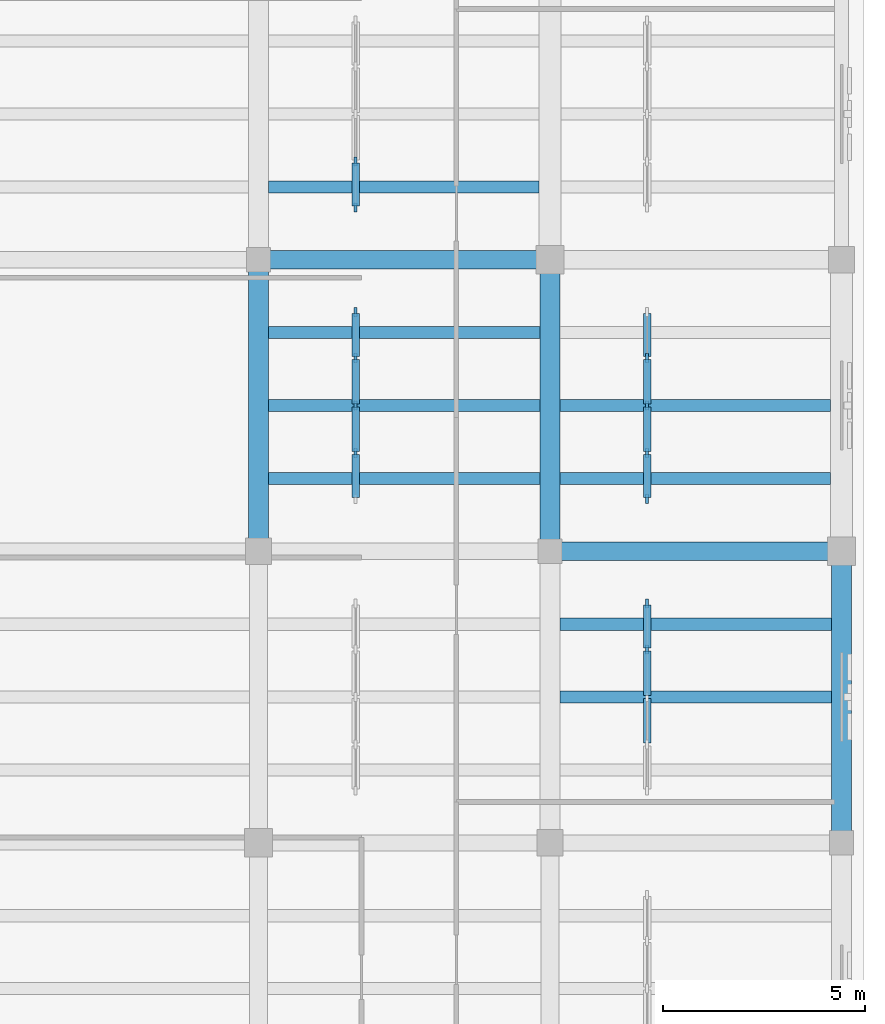
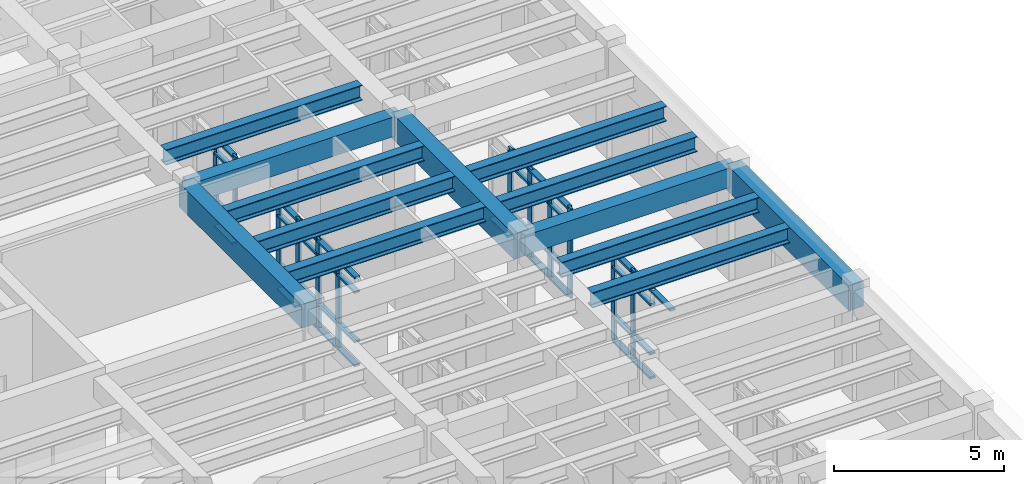
# One storey, part 10 of 40: 54 members, 13 beams, 4 elements without a shape of their own.
"""IFC4 building model written with IfcOpenShell, lengths in metres."""

from ifc_helpers import new_model, si_unit, direction, frame, origin, origin_2d, place, context, subcontext, project, spatial, rectangle, i_section, extrude, material, material_profile, profile_set, type_object, element, aggregate, save


model = new_model("IFC4")

# Units and contexts
model_context = context("Model", 3, precision=1e-05, world=origin(), true_north=direction((0.0, 1.0)))
body_context = subcontext(model_context, "Body", "Model", "MODEL_VIEW")
ifc_project = project(units=[si_unit("LENGTHUNIT", "METRE"), si_unit("AREAUNIT", "SQUARE_METRE"), si_unit("VOLUMEUNIT", "CUBIC_METRE"), si_unit("PLANEANGLEUNIT", "RADIAN"), si_unit("MASSUNIT", "GRAM", prefix="KILO")], contexts=[model_context])

# Site, building, storey
site_placement = place(None, origin())
site = spatial("IfcSite", under=ifc_project, at=site_placement, CompositionType="ELEMENT")
building_placement = place(site_placement, origin())
building = spatial("IfcBuilding", under=site, at=building_placement, Name="Mithqara Police Headquarters", CompositionType="ELEMENT")
storey_placement = place(building_placement, frame((0.0, 0.0, 13.800048828125)))
storey = spatial("IfcBuildingStorey", under=building, at=storey_placement, Name="L03", CompositionType="ELEMENT", Elevation=13.800048828125)

# Beams
ifc_material_1 = material(Name="Steel S355JR", Category="steel")
ifc_material_profile_1 = material_profile(ifc_material_1, i_section(OverallWidth=0.300048828125, OverallDepth=0.550048828125, WebThickness=0.014892578125, FlangeThickness=0.029052734375, FilletRadius=0.027099609375, at=origin_2d()), Name="HEB 550")
ifc_profile_set_1 = profile_set([ifc_material_profile_1], Name="Steel S355JR")
beam_type_1 = type_object("IfcBeamType", Name="BEAM HEB550", PredefinedType="BEAM", material=ifc_profile_set_1)
for number, where, z_axis, x_axis, name in (
    (1, (152.050048828125, 94.800048828125, 3.6650390625), (1.0, 0.0, 0.0), (0.0, 1.0, 0.0), "L03 Composite Steel Joist 22-23/P.1"),
    (2, (152.050048828125, 96.60009765625, 3.6650390625), (1.0, 0.0, 0.0), (0.0, 1.0, 0.0), "L03 Composite Steel Joist 22-23/P.2"),
    (3, (152.050048828125, 98.39990234375, 3.6650390625), (1.0, 0.0, 0.0), (0.0, 1.0, 0.0), "L03 Composite Steel Joist 22-23/P.3"),
):
    element("IfcBeam", number, at=place(storey_placement, frame(where, z_axis=z_axis, x_axis=x_axis)), inside=storey, type_object=beam_type_1, Name=name, PredefinedType="BEAM", context=body_context, shape_type="SweptSolid", body=[
        extrude(i_section(OverallWidth=0.300048828125, OverallDepth=0.550048828125, WebThickness=0.014892578125, FlangeThickness=0.029052734375, FilletRadius=0.027099609375, at=origin_2d()), origin(), (0.0, 0.0, 1.0), 6.699951171875),
    ])
beam_1_placement = place(storey_placement, frame((152.050048828125, 102.0, 3.6650390625), z_axis=(1.0, 0.0, 0.0), x_axis=(0.0, 1.0, 0.0)))
element("IfcBeam", 4, at=beam_1_placement, inside=storey, type_object=beam_type_1, Name="L03 Composite Steel Joist 22-23/Q.1", PredefinedType="BEAM", context=body_context, shape_type="SweptSolid", body=[
    extrude(i_section(OverallWidth=0.300048828125, OverallDepth=0.550048828125, WebThickness=0.014892578125, FlangeThickness=0.029052734375, FilletRadius=0.027099609375, at=origin_2d()), origin(), (0.0, 0.0, 1.0), 6.675048828125),
])
for number, where, z_axis, x_axis, name in (
    (5, (159.25, 89.39990234375, 3.6650390625), (1.0, 0.0, 0.0), (0.0, 1.0, 0.0), "L03 Composite Steel Joist 23-24/N.2"),
    (6, (159.25, 91.199951171875, 3.6650390625), (1.0, 0.0, 0.0), (0.0, 1.0, 0.0), "L03 Composite Steel Joist 23-24/N.3"),
):
    element("IfcBeam", number, at=place(storey_placement, frame(where, z_axis=z_axis, x_axis=x_axis)), inside=storey, type_object=beam_type_1, Name=name, PredefinedType="BEAM", context=body_context, shape_type="SweptSolid", body=[
        extrude(i_section(OverallWidth=0.300048828125, OverallDepth=0.550048828125, WebThickness=0.014892578125, FlangeThickness=0.029052734375, FilletRadius=0.027099609375, at=origin_2d()), origin(), (0.0, 0.0, 1.0), 6.699951171875),
    ])
for number, where, z_axis, x_axis, name in (
    (7, (159.25, 94.800048828125, 3.6650390625), (1.0, 0.0, 0.0), (0.0, 1.0, 0.0), "L03 Composite Steel Joist 23-24/P.1"),
    (8, (159.25, 96.60009765625, 3.6650390625), (1.0, 0.0, 0.0), (0.0, 1.0, 0.0), "L03 Composite Steel Joist 23-24/P.2"),
):
    element("IfcBeam", number, at=place(storey_placement, frame(where, z_axis=z_axis, x_axis=x_axis)), inside=storey, type_object=beam_type_1, Name=name, PredefinedType="BEAM", context=body_context, shape_type="SweptSolid", body=[
        extrude(i_section(OverallWidth=0.300048828125, OverallDepth=0.550048828125, WebThickness=0.014892578125, FlangeThickness=0.029052734375, FilletRadius=0.027099609375, at=origin_2d()), origin(), (0.0, 0.0, 1.0), 6.675048828125),
    ])
ifc_material_2 = material(Name="Concrete C40/50", Category="concrete")
ifc_material_profile_2 = material_profile(ifc_material_2, rectangle(XDim=0.449951171875, YDim=0.699951171875, at=origin_2d()), Name="RC 450x700")
ifc_profile_set_2 = profile_set([ifc_material_profile_2], Name="Concrete C40/50")
beam_type_2 = type_object("IfcBeamType", Name="BEAM RC450X700", PredefinedType="BEAM", material=ifc_profile_set_2)
for number, where, z_axis, x_axis, name in (
    (9, (151.800048828125, 100.199951171875, 3.58984375), (1.0, 0.0, 0.0), (0.0, 1.0, 0.0), "L03 Girder 22-23/Q"),
    (10, (159.0, 93.0, 3.58984375), (1.0, 0.0, 0.0), (0.0, 1.0, 0.0), "L03 Girder 23-24/P"),
):
    element("IfcBeam", number, at=place(storey_placement, frame(where, z_axis=z_axis, x_axis=x_axis)), inside=storey, type_object=beam_type_2, Name=name, PredefinedType="BEAM", context=body_context, shape_type="SweptSolid", body=[
        extrude(rectangle(XDim=0.449951171875, YDim=0.699951171875, at=origin_2d()), origin(), (0.0, 0.0, 1.0), 7.199951171875),
    ])
ifc_material_profile_3 = material_profile(ifc_material_2, rectangle(XDim=0.5, YDim=0.85009765625, at=origin_2d()), Name="RC 500x850")
ifc_profile_set_3 = profile_set([ifc_material_profile_3], Name="Concrete C40/50")
beam_type_3 = type_object("IfcBeamType", Name="BEAM RC500X850", PredefinedType="BEAM", material=ifc_profile_set_3)
beam_2_placement = place(storey_placement, frame((151.800048828125, 93.0, 3.514892578125), z_axis=(0.0, 1.0, 0.0), x_axis=(-1.0, 0.0, 0.0)))
element("IfcBeam", 11, at=beam_2_placement, inside=storey, type_object=beam_type_3, Name="L03 Girder 22/P-Q", PredefinedType="BEAM", context=body_context, shape_type="SweptSolid", body=[
    extrude(rectangle(XDim=0.5, YDim=0.85009765625, at=origin_2d()), origin(), (0.0, 0.0, 1.0), 7.199951171875),
])
ifc_material_3 = material(Name="Concrete C50/60", Category="concrete")
ifc_material_profile_4 = material_profile(ifc_material_3, rectangle(XDim=0.5, YDim=0.89990234375, at=origin_2d()), Name="RC 500x900")
ifc_profile_set_4 = profile_set([ifc_material_profile_4], Name="Concrete C50/60")
beam_type_4 = type_object("IfcBeamType", Name="BEAM RC500X900", PredefinedType="BEAM", material=ifc_profile_set_4)
for number, where, z_axis, x_axis, name in (
    (12, (159.0, 93.0, 3.489990234375), (0.0, 1.0, 0.0), (-1.0, 0.0, 0.0), "L03 Girder 23/P-Q"),
    (13, (166.199951171875, 85.800048828125, 3.489990234375), (0.0, 1.0, 0.0), (-1.0, 0.0, 0.0), "L03 Girder 24/N-P"),
):
    element("IfcBeam", number, at=place(storey_placement, frame(where, z_axis=z_axis, x_axis=x_axis)), inside=storey, type_object=beam_type_4, Name=name, PredefinedType="BEAM", context=body_context, shape_type="SweptSolid", body=[
        extrude(rectangle(XDim=0.5, YDim=0.89990234375, at=origin_2d()), origin(), (0.0, 0.0, 1.0), 7.199951171875),
    ])

# Curtain wall, members
ifc_material_4 = material(Name="Bronze anodised aluminium 6063-T6", Category="aluminium")
curtain_wall_type = type_object("IfcCurtainWallType", Name="CURTAIN WALL 4700X3220", PredefinedType="USERDEFINED", material=ifc_material_4)
curtain_wall_1_placement = place(storey_placement, origin())
curtain_wall_1 = element("IfcCurtainWall", 14, at=curtain_wall_1_placement, inside=storey, type_object=curtain_wall_type, Name="L03 Unitised Glazing CW-16 (CW-INT-L03-X21-Y13-0)", ObjectType="UNITISED GLAZING", PredefinedType="USERDEFINED")
ifc_material_profile_5 = material_profile(ifc_material_4, rectangle(XDim=0.074951171875, YDim=0.219970703125, at=origin_2d()), Name="CWM 75x220")
ifc_profile_set_5 = profile_set([ifc_material_profile_5], Name="Bronze anodised aluminium 6063-T6")
member_type_1 = type_object("IfcMemberType", Name="CWMULLION 75X220", PredefinedType="MULLION", material=ifc_profile_set_5)
member_1_placement = place(storey_placement, frame((154.199951171875, 95.425048828125, 0.0), z_axis=(0.0, 0.0, 1.0), x_axis=(-1.0, 0.0, 0.0)))
member_1 = element("IfcMember", 15, at=member_1_placement, type_object=member_type_1, Name="CW-16 mullion 2", PredefinedType="MULLION", context=body_context, shape_type="SweptSolid", body=[
    extrude(rectangle(XDim=0.074951171875, YDim=0.219970703125, at=origin_2d()), origin(), (0.0, 0.0, 1.0), 3.219970703125),
])
member_2_placement = place(storey_placement, frame((154.199951171875, 96.60009765625, 0.0), z_axis=(0.0, 0.0, 1.0), x_axis=(-1.0, 0.0, 0.0)))
member_2 = element("IfcMember", 16, at=member_2_placement, type_object=member_type_1, Name="CW-16 mullion 3", PredefinedType="MULLION", context=body_context, shape_type="SweptSolid", body=[
    extrude(rectangle(XDim=0.074951171875, YDim=0.219970703125, at=origin_2d()), origin(), (0.0, 0.0, 1.0), 3.219970703125),
])
member_3_placement = place(storey_placement, frame((154.199951171875, 97.77490234375, 0.0), z_axis=(0.0, 0.0, 1.0), x_axis=(-1.0, 0.0, 0.0)))
member_3 = element("IfcMember", 17, at=member_3_placement, type_object=member_type_1, Name="CW-16 mullion 4", PredefinedType="MULLION", context=body_context, shape_type="SweptSolid", body=[
    extrude(rectangle(XDim=0.074951171875, YDim=0.219970703125, at=origin_2d()), origin(), (0.0, 0.0, 1.0), 3.219970703125),
])
member_4_placement = place(storey_placement, frame((154.199951171875, 98.91259765625, 0.0), z_axis=(0.0, 0.0, 1.0), x_axis=(-1.0, 0.0, 0.0)))
member_4 = element("IfcMember", 18, at=member_4_placement, type_object=member_type_1, Name="CW-16 mullion 5", PredefinedType="MULLION", context=body_context, shape_type="SweptSolid", body=[
    extrude(rectangle(XDim=0.074951171875, YDim=0.219970703125, at=origin_2d()), origin(), (0.0, 0.0, 1.0), 3.219970703125),
])

curtain_wall_2_placement = place(storey_placement, origin())
curtain_wall_2 = element("IfcCurtainWall", 19, at=curtain_wall_2_placement, inside=storey, type_object=curtain_wall_type, Name="L03 Unitised Glazing CW-16 (CW-INT-L03-X21-Y14-0)", ObjectType="UNITISED GLAZING", PredefinedType="USERDEFINED")
member_5_placement = place(storey_placement, frame((154.199951171875, 101.487548828125, 0.0), z_axis=(0.0, 0.0, 1.0), x_axis=(-1.0, 0.0, 0.0)))
member_5 = element("IfcMember", 20, at=member_5_placement, type_object=member_type_1, Name="CW-16 mullion 1", PredefinedType="MULLION", context=body_context, shape_type="SweptSolid", body=[
    extrude(rectangle(XDim=0.074951171875, YDim=0.219970703125, at=origin_2d()), origin(), (0.0, 0.0, 1.0), 3.219970703125),
])
member_6_placement = place(storey_placement, frame((154.199951171875, 102.625, 0.0), z_axis=(0.0, 0.0, 1.0), x_axis=(-1.0, 0.0, 0.0)))
member_6 = element("IfcMember", 21, at=member_6_placement, type_object=member_type_1, Name="CW-16 mullion 2", PredefinedType="MULLION", context=body_context, shape_type="SweptSolid", body=[
    extrude(rectangle(XDim=0.074951171875, YDim=0.219970703125, at=origin_2d()), origin(), (0.0, 0.0, 1.0), 3.219970703125),
])

curtain_wall_3_placement = place(storey_placement, origin())
curtain_wall_3 = element("IfcCurtainWall", 22, at=curtain_wall_3_placement, inside=storey, type_object=curtain_wall_type, Name="L03 Unitised Glazing CW-16 (CW-INT-L03-X22-Y12-0)", ObjectType="UNITISED GLAZING", PredefinedType="USERDEFINED")
member_7_placement = place(storey_placement, frame((161.39990234375, 90.574951171875, 0.0), z_axis=(0.0, 0.0, 1.0), x_axis=(-1.0, 0.0, 0.0)))
member_7 = element("IfcMember", 23, at=member_7_placement, type_object=member_type_1, Name="CW-16 mullion 4", PredefinedType="MULLION", context=body_context, shape_type="SweptSolid", body=[
    extrude(rectangle(XDim=0.074951171875, YDim=0.219970703125, at=origin_2d()), origin(), (0.0, 0.0, 1.0), 3.219970703125),
])
member_8_placement = place(storey_placement, frame((161.39990234375, 91.71240234375, 0.0), z_axis=(0.0, 0.0, 1.0), x_axis=(-1.0, 0.0, 0.0)))
member_8 = element("IfcMember", 24, at=member_8_placement, type_object=member_type_1, Name="CW-16 mullion 5", PredefinedType="MULLION", context=body_context, shape_type="SweptSolid", body=[
    extrude(rectangle(XDim=0.074951171875, YDim=0.219970703125, at=origin_2d()), origin(), (0.0, 0.0, 1.0), 3.219970703125),
])

curtain_wall_4_placement = place(storey_placement, origin())
curtain_wall_4 = element("IfcCurtainWall", 25, at=curtain_wall_4_placement, inside=storey, type_object=curtain_wall_type, Name="L03 Unitised Glazing CW-16 (CW-INT-L03-X22-Y13-0)", ObjectType="UNITISED GLAZING", PredefinedType="USERDEFINED")
member_9_placement = place(storey_placement, frame((161.39990234375, 94.28759765625, 0.0), z_axis=(0.0, 0.0, 1.0), x_axis=(-1.0, 0.0, 0.0)))
member_9 = element("IfcMember", 26, at=member_9_placement, type_object=member_type_1, Name="CW-16 mullion 1", PredefinedType="MULLION", context=body_context, shape_type="SweptSolid", body=[
    extrude(rectangle(XDim=0.074951171875, YDim=0.219970703125, at=origin_2d()), origin(), (0.0, 0.0, 1.0), 3.219970703125),
])
member_10_placement = place(storey_placement, frame((161.39990234375, 95.425048828125, 0.0), z_axis=(0.0, 0.0, 1.0), x_axis=(-1.0, 0.0, 0.0)))
member_10 = element("IfcMember", 27, at=member_10_placement, type_object=member_type_1, Name="CW-16 mullion 2", PredefinedType="MULLION", context=body_context, shape_type="SweptSolid", body=[
    extrude(rectangle(XDim=0.074951171875, YDim=0.219970703125, at=origin_2d()), origin(), (0.0, 0.0, 1.0), 3.219970703125),
])
member_11_placement = place(storey_placement, frame((161.39990234375, 96.60009765625, 0.0), z_axis=(0.0, 0.0, 1.0), x_axis=(-1.0, 0.0, 0.0)))
member_11 = element("IfcMember", 28, at=member_11_placement, type_object=member_type_1, Name="CW-16 mullion 3", PredefinedType="MULLION", context=body_context, shape_type="SweptSolid", body=[
    extrude(rectangle(XDim=0.074951171875, YDim=0.219970703125, at=origin_2d()), origin(), (0.0, 0.0, 1.0), 3.219970703125),
])
member_12_placement = place(storey_placement, frame((161.39990234375, 97.77490234375, 0.0), z_axis=(0.0, 0.0, 1.0), x_axis=(-1.0, 0.0, 0.0)))
member_12 = element("IfcMember", 29, at=member_12_placement, type_object=member_type_1, Name="CW-16 mullion 4", PredefinedType="MULLION", context=body_context, shape_type="SweptSolid", body=[
    extrude(rectangle(XDim=0.074951171875, YDim=0.219970703125, at=origin_2d()), origin(), (0.0, 0.0, 1.0), 3.219970703125),
])

# Member
ifc_material_profile_6 = material_profile(ifc_material_4, rectangle(XDim=0.179931640625, YDim=0.074951171875, at=origin_2d()), Name="CWT 180x75")
ifc_profile_set_6 = profile_set([ifc_material_profile_6], Name="Bronze anodised aluminium 6063-T6")
member_type_2 = type_object("IfcMemberType", Name="CWTRANSOM 180X75", PredefinedType="USERDEFINED", material=ifc_profile_set_6)
member_13_placement = place(storey_placement, frame((154.199951171875, 94.324951171875, 0.037353515625), z_axis=(0.0, 1.0, 0.0), x_axis=(-1.0, 0.0, 0.0)))
member_13 = element("IfcMember", 30, at=member_13_placement, type_object=member_type_2, Name="CW-16 transom 1.1", ObjectType="TRANSOM", PredefinedType="USERDEFINED", context=body_context, shape_type="SweptSolid", body=[
    extrude(rectangle(XDim=0.179931640625, YDim=0.074951171875, at=origin_2d()), origin(), (0.0, 0.0, 1.0), 1.0625),
])

member_14_placement = place(storey_placement, frame((154.199951171875, 94.324951171875, 0.89990234375), z_axis=(0.0, 1.0, 0.0), x_axis=(-1.0, 0.0, 0.0)))
member_14 = element("IfcMember", 31, at=member_14_placement, type_object=member_type_2, Name="CW-16 transom 1.2", ObjectType="TRANSOM", PredefinedType="USERDEFINED", context=body_context, shape_type="SweptSolid", body=[
    extrude(rectangle(XDim=0.179931640625, YDim=0.074951171875, at=origin_2d()), origin(), (0.0, 0.0, 1.0), 1.0625),
])

member_15_placement = place(storey_placement, frame((154.199951171875, 94.324951171875, 2.669921875), z_axis=(0.0, 1.0, 0.0), x_axis=(-1.0, 0.0, 0.0)))
member_15 = element("IfcMember", 32, at=member_15_placement, type_object=member_type_2, Name="CW-16 transom 1.3", ObjectType="TRANSOM", PredefinedType="USERDEFINED", context=body_context, shape_type="SweptSolid", body=[
    extrude(rectangle(XDim=0.179931640625, YDim=0.074951171875, at=origin_2d()), origin(), (0.0, 0.0, 1.0), 1.0625),
])

member_16_placement = place(storey_placement, frame((154.199951171875, 94.324951171875, 3.182373046875), z_axis=(0.0, 1.0, 0.0), x_axis=(-1.0, 0.0, 0.0)))
member_16 = element("IfcMember", 33, at=member_16_placement, type_object=member_type_2, Name="CW-16 transom 1.4", ObjectType="TRANSOM", PredefinedType="USERDEFINED", context=body_context, shape_type="SweptSolid", body=[
    extrude(rectangle(XDim=0.179931640625, YDim=0.074951171875, at=origin_2d()), origin(), (0.0, 0.0, 1.0), 1.0625),
])

member_17_placement = place(storey_placement, frame((154.199951171875, 95.46240234375, 0.037353515625), z_axis=(0.0, 1.0, 0.0), x_axis=(-1.0, 0.0, 0.0)))
member_17 = element("IfcMember", 34, at=member_17_placement, type_object=member_type_2, Name="CW-16 transom 2.1", ObjectType="TRANSOM", PredefinedType="USERDEFINED", context=body_context, shape_type="SweptSolid", body=[
    extrude(rectangle(XDim=0.179931640625, YDim=0.074951171875, at=origin_2d()), origin(), (0.0, 0.0, 1.0), 1.10009765625),
])

member_18_placement = place(storey_placement, frame((154.199951171875, 95.46240234375, 0.89990234375), z_axis=(0.0, 1.0, 0.0), x_axis=(-1.0, 0.0, 0.0)))
member_18 = element("IfcMember", 35, at=member_18_placement, type_object=member_type_2, Name="CW-16 transom 2.2", ObjectType="TRANSOM", PredefinedType="USERDEFINED", context=body_context, shape_type="SweptSolid", body=[
    extrude(rectangle(XDim=0.179931640625, YDim=0.074951171875, at=origin_2d()), origin(), (0.0, 0.0, 1.0), 1.10009765625),
])

member_19_placement = place(storey_placement, frame((154.199951171875, 95.46240234375, 2.669921875), z_axis=(0.0, 1.0, 0.0), x_axis=(-1.0, 0.0, 0.0)))
member_19 = element("IfcMember", 36, at=member_19_placement, type_object=member_type_2, Name="CW-16 transom 2.3", ObjectType="TRANSOM", PredefinedType="USERDEFINED", context=body_context, shape_type="SweptSolid", body=[
    extrude(rectangle(XDim=0.179931640625, YDim=0.074951171875, at=origin_2d()), origin(), (0.0, 0.0, 1.0), 1.10009765625),
])

member_20_placement = place(storey_placement, frame((154.199951171875, 95.46240234375, 3.182373046875), z_axis=(0.0, 1.0, 0.0), x_axis=(-1.0, 0.0, 0.0)))
member_20 = element("IfcMember", 37, at=member_20_placement, type_object=member_type_2, Name="CW-16 transom 2.4", ObjectType="TRANSOM", PredefinedType="USERDEFINED", context=body_context, shape_type="SweptSolid", body=[
    extrude(rectangle(XDim=0.179931640625, YDim=0.074951171875, at=origin_2d()), origin(), (0.0, 0.0, 1.0), 1.10009765625),
])

member_21_placement = place(storey_placement, frame((154.199951171875, 96.637451171875, 0.037353515625), z_axis=(0.0, 1.0, 0.0), x_axis=(-1.0, 0.0, 0.0)))
member_21 = element("IfcMember", 38, at=member_21_placement, type_object=member_type_2, Name="CW-16 transom 3.1", ObjectType="TRANSOM", PredefinedType="USERDEFINED", context=body_context, shape_type="SweptSolid", body=[
    extrude(rectangle(XDim=0.179931640625, YDim=0.074951171875, at=origin_2d()), origin(), (0.0, 0.0, 1.0), 1.10009765625),
])

member_22_placement = place(storey_placement, frame((154.199951171875, 96.637451171875, 0.89990234375), z_axis=(0.0, 1.0, 0.0), x_axis=(-1.0, 0.0, 0.0)))
member_22 = element("IfcMember", 39, at=member_22_placement, type_object=member_type_2, Name="CW-16 transom 3.2", ObjectType="TRANSOM", PredefinedType="USERDEFINED", context=body_context, shape_type="SweptSolid", body=[
    extrude(rectangle(XDim=0.179931640625, YDim=0.074951171875, at=origin_2d()), origin(), (0.0, 0.0, 1.0), 1.10009765625),
])

member_23_placement = place(storey_placement, frame((154.199951171875, 96.637451171875, 2.669921875), z_axis=(0.0, 1.0, 0.0), x_axis=(-1.0, 0.0, 0.0)))
member_23 = element("IfcMember", 40, at=member_23_placement, type_object=member_type_2, Name="CW-16 transom 3.3", ObjectType="TRANSOM", PredefinedType="USERDEFINED", context=body_context, shape_type="SweptSolid", body=[
    extrude(rectangle(XDim=0.179931640625, YDim=0.074951171875, at=origin_2d()), origin(), (0.0, 0.0, 1.0), 1.10009765625),
])

member_24_placement = place(storey_placement, frame((154.199951171875, 96.637451171875, 3.182373046875), z_axis=(0.0, 1.0, 0.0), x_axis=(-1.0, 0.0, 0.0)))
member_24 = element("IfcMember", 41, at=member_24_placement, type_object=member_type_2, Name="CW-16 transom 3.4", ObjectType="TRANSOM", PredefinedType="USERDEFINED", context=body_context, shape_type="SweptSolid", body=[
    extrude(rectangle(XDim=0.179931640625, YDim=0.074951171875, at=origin_2d()), origin(), (0.0, 0.0, 1.0), 1.10009765625),
])

member_25_placement = place(storey_placement, frame((154.199951171875, 97.8125, 0.037353515625), z_axis=(0.0, 1.0, 0.0), x_axis=(-1.0, 0.0, 0.0)))
member_25 = element("IfcMember", 42, at=member_25_placement, type_object=member_type_2, Name="CW-16 transom 4.1", ObjectType="TRANSOM", PredefinedType="USERDEFINED", context=body_context, shape_type="SweptSolid", body=[
    extrude(rectangle(XDim=0.179931640625, YDim=0.074951171875, at=origin_2d()), origin(), (0.0, 0.0, 1.0), 1.0625),
])

member_26_placement = place(storey_placement, frame((154.199951171875, 97.8125, 0.89990234375), z_axis=(0.0, 1.0, 0.0), x_axis=(-1.0, 0.0, 0.0)))
member_26 = element("IfcMember", 43, at=member_26_placement, type_object=member_type_2, Name="CW-16 transom 4.2", ObjectType="TRANSOM", PredefinedType="USERDEFINED", context=body_context, shape_type="SweptSolid", body=[
    extrude(rectangle(XDim=0.179931640625, YDim=0.074951171875, at=origin_2d()), origin(), (0.0, 0.0, 1.0), 1.0625),
])

member_27_placement = place(storey_placement, frame((154.199951171875, 97.8125, 2.669921875), z_axis=(0.0, 1.0, 0.0), x_axis=(-1.0, 0.0, 0.0)))
member_27 = element("IfcMember", 44, at=member_27_placement, type_object=member_type_2, Name="CW-16 transom 4.3", ObjectType="TRANSOM", PredefinedType="USERDEFINED", context=body_context, shape_type="SweptSolid", body=[
    extrude(rectangle(XDim=0.179931640625, YDim=0.074951171875, at=origin_2d()), origin(), (0.0, 0.0, 1.0), 1.0625),
])

member_28_placement = place(storey_placement, frame((154.199951171875, 97.8125, 3.182373046875), z_axis=(0.0, 1.0, 0.0), x_axis=(-1.0, 0.0, 0.0)))
member_28 = element("IfcMember", 45, at=member_28_placement, type_object=member_type_2, Name="CW-16 transom 4.4", ObjectType="TRANSOM", PredefinedType="USERDEFINED", context=body_context, shape_type="SweptSolid", body=[
    extrude(rectangle(XDim=0.179931640625, YDim=0.074951171875, at=origin_2d()), origin(), (0.0, 0.0, 1.0), 1.0625),
])

aggregate(curtain_wall_1, [member_1, member_2, member_3, member_4, member_13, member_14, member_15, member_16, member_17, member_18, member_19, member_20, member_21, member_22, member_23, member_24, member_25, member_26, member_27, member_28])

member_29_placement = place(storey_placement, frame((154.199951171875, 101.52490234375, 0.037353515625), z_axis=(0.0, 1.0, 0.0), x_axis=(-1.0, 0.0, 0.0)))
member_29 = element("IfcMember", 46, at=member_29_placement, type_object=member_type_2, Name="CW-16 transom 1.1", ObjectType="TRANSOM", PredefinedType="USERDEFINED", context=body_context, shape_type="SweptSolid", body=[
    extrude(rectangle(XDim=0.179931640625, YDim=0.074951171875, at=origin_2d()), origin(), (0.0, 0.0, 1.0), 1.0625),
])

member_30_placement = place(storey_placement, frame((154.199951171875, 101.52490234375, 0.89990234375), z_axis=(0.0, 1.0, 0.0), x_axis=(-1.0, 0.0, 0.0)))
member_30 = element("IfcMember", 47, at=member_30_placement, type_object=member_type_2, Name="CW-16 transom 1.2", ObjectType="TRANSOM", PredefinedType="USERDEFINED", context=body_context, shape_type="SweptSolid", body=[
    extrude(rectangle(XDim=0.179931640625, YDim=0.074951171875, at=origin_2d()), origin(), (0.0, 0.0, 1.0), 1.0625),
])

member_31_placement = place(storey_placement, frame((154.199951171875, 101.52490234375, 2.669921875), z_axis=(0.0, 1.0, 0.0), x_axis=(-1.0, 0.0, 0.0)))
member_31 = element("IfcMember", 48, at=member_31_placement, type_object=member_type_2, Name="CW-16 transom 1.3", ObjectType="TRANSOM", PredefinedType="USERDEFINED", context=body_context, shape_type="SweptSolid", body=[
    extrude(rectangle(XDim=0.179931640625, YDim=0.074951171875, at=origin_2d()), origin(), (0.0, 0.0, 1.0), 1.0625),
])

member_32_placement = place(storey_placement, frame((154.199951171875, 101.52490234375, 3.182373046875), z_axis=(0.0, 1.0, 0.0), x_axis=(-1.0, 0.0, 0.0)))
member_32 = element("IfcMember", 49, at=member_32_placement, type_object=member_type_2, Name="CW-16 transom 1.4", ObjectType="TRANSOM", PredefinedType="USERDEFINED", context=body_context, shape_type="SweptSolid", body=[
    extrude(rectangle(XDim=0.179931640625, YDim=0.074951171875, at=origin_2d()), origin(), (0.0, 0.0, 1.0), 1.0625),
])

aggregate(curtain_wall_2, [member_5, member_6, member_29, member_30, member_31, member_32])

member_33_placement = place(storey_placement, frame((161.39990234375, 88.262451171875, 3.182373046875), z_axis=(0.0, 1.0, 0.0), x_axis=(-1.0, 0.0, 0.0)))
member_33 = element("IfcMember", 50, at=member_33_placement, type_object=member_type_2, Name="CW-16 transom 2.4", ObjectType="TRANSOM", PredefinedType="USERDEFINED", context=body_context, shape_type="SweptSolid", body=[
    extrude(rectangle(XDim=0.179931640625, YDim=0.074951171875, at=origin_2d()), origin(), (0.0, 0.0, 1.0), 1.10009765625),
])

member_34_placement = place(storey_placement, frame((161.39990234375, 89.4375, 0.037353515625), z_axis=(0.0, 1.0, 0.0), x_axis=(-1.0, 0.0, 0.0)))
member_34 = element("IfcMember", 51, at=member_34_placement, type_object=member_type_2, Name="CW-16 transom 3.1", ObjectType="TRANSOM", PredefinedType="USERDEFINED", context=body_context, shape_type="SweptSolid", body=[
    extrude(rectangle(XDim=0.179931640625, YDim=0.074951171875, at=origin_2d()), origin(), (0.0, 0.0, 1.0), 1.10009765625),
])

member_35_placement = place(storey_placement, frame((161.39990234375, 89.4375, 0.89990234375), z_axis=(0.0, 1.0, 0.0), x_axis=(-1.0, 0.0, 0.0)))
member_35 = element("IfcMember", 52, at=member_35_placement, type_object=member_type_2, Name="CW-16 transom 3.2", ObjectType="TRANSOM", PredefinedType="USERDEFINED", context=body_context, shape_type="SweptSolid", body=[
    extrude(rectangle(XDim=0.179931640625, YDim=0.074951171875, at=origin_2d()), origin(), (0.0, 0.0, 1.0), 1.10009765625),
])

member_36_placement = place(storey_placement, frame((161.39990234375, 89.4375, 2.669921875), z_axis=(0.0, 1.0, 0.0), x_axis=(-1.0, 0.0, 0.0)))
member_36 = element("IfcMember", 53, at=member_36_placement, type_object=member_type_2, Name="CW-16 transom 3.3", ObjectType="TRANSOM", PredefinedType="USERDEFINED", context=body_context, shape_type="SweptSolid", body=[
    extrude(rectangle(XDim=0.179931640625, YDim=0.074951171875, at=origin_2d()), origin(), (0.0, 0.0, 1.0), 1.10009765625),
])

member_37_placement = place(storey_placement, frame((161.39990234375, 89.4375, 3.182373046875), z_axis=(0.0, 1.0, 0.0), x_axis=(-1.0, 0.0, 0.0)))
member_37 = element("IfcMember", 54, at=member_37_placement, type_object=member_type_2, Name="CW-16 transom 3.4", ObjectType="TRANSOM", PredefinedType="USERDEFINED", context=body_context, shape_type="SweptSolid", body=[
    extrude(rectangle(XDim=0.179931640625, YDim=0.074951171875, at=origin_2d()), origin(), (0.0, 0.0, 1.0), 1.10009765625),
])

member_38_placement = place(storey_placement, frame((161.39990234375, 90.612548828125, 0.037353515625), z_axis=(0.0, 1.0, 0.0), x_axis=(-1.0, 0.0, 0.0)))
member_38 = element("IfcMember", 55, at=member_38_placement, type_object=member_type_2, Name="CW-16 transom 4.1", ObjectType="TRANSOM", PredefinedType="USERDEFINED", context=body_context, shape_type="SweptSolid", body=[
    extrude(rectangle(XDim=0.179931640625, YDim=0.074951171875, at=origin_2d()), origin(), (0.0, 0.0, 1.0), 1.0625),
])

member_39_placement = place(storey_placement, frame((161.39990234375, 90.612548828125, 0.89990234375), z_axis=(0.0, 1.0, 0.0), x_axis=(-1.0, 0.0, 0.0)))
member_39 = element("IfcMember", 56, at=member_39_placement, type_object=member_type_2, Name="CW-16 transom 4.2", ObjectType="TRANSOM", PredefinedType="USERDEFINED", context=body_context, shape_type="SweptSolid", body=[
    extrude(rectangle(XDim=0.179931640625, YDim=0.074951171875, at=origin_2d()), origin(), (0.0, 0.0, 1.0), 1.0625),
])

member_40_placement = place(storey_placement, frame((161.39990234375, 90.612548828125, 2.669921875), z_axis=(0.0, 1.0, 0.0), x_axis=(-1.0, 0.0, 0.0)))
member_40 = element("IfcMember", 57, at=member_40_placement, type_object=member_type_2, Name="CW-16 transom 4.3", ObjectType="TRANSOM", PredefinedType="USERDEFINED", context=body_context, shape_type="SweptSolid", body=[
    extrude(rectangle(XDim=0.179931640625, YDim=0.074951171875, at=origin_2d()), origin(), (0.0, 0.0, 1.0), 1.0625),
])

member_41_placement = place(storey_placement, frame((161.39990234375, 90.612548828125, 3.182373046875), z_axis=(0.0, 1.0, 0.0), x_axis=(-1.0, 0.0, 0.0)))
member_41 = element("IfcMember", 58, at=member_41_placement, type_object=member_type_2, Name="CW-16 transom 4.4", ObjectType="TRANSOM", PredefinedType="USERDEFINED", context=body_context, shape_type="SweptSolid", body=[
    extrude(rectangle(XDim=0.179931640625, YDim=0.074951171875, at=origin_2d()), origin(), (0.0, 0.0, 1.0), 1.0625),
])

aggregate(curtain_wall_3, [member_7, member_8, member_33, member_34, member_35, member_36, member_37, member_38, member_39, member_40, member_41])

member_42_placement = place(storey_placement, frame((161.39990234375, 94.324951171875, 0.037353515625), z_axis=(0.0, 1.0, 0.0), x_axis=(-1.0, 0.0, 0.0)))
member_42 = element("IfcMember", 59, at=member_42_placement, type_object=member_type_2, Name="CW-16 transom 1.1", ObjectType="TRANSOM", PredefinedType="USERDEFINED", context=body_context, shape_type="SweptSolid", body=[
    extrude(rectangle(XDim=0.179931640625, YDim=0.074951171875, at=origin_2d()), origin(), (0.0, 0.0, 1.0), 1.0625),
])

member_43_placement = place(storey_placement, frame((161.39990234375, 94.324951171875, 0.89990234375), z_axis=(0.0, 1.0, 0.0), x_axis=(-1.0, 0.0, 0.0)))
member_43 = element("IfcMember", 60, at=member_43_placement, type_object=member_type_2, Name="CW-16 transom 1.2", ObjectType="TRANSOM", PredefinedType="USERDEFINED", context=body_context, shape_type="SweptSolid", body=[
    extrude(rectangle(XDim=0.179931640625, YDim=0.074951171875, at=origin_2d()), origin(), (0.0, 0.0, 1.0), 1.0625),
])

member_44_placement = place(storey_placement, frame((161.39990234375, 94.324951171875, 2.669921875), z_axis=(0.0, 1.0, 0.0), x_axis=(-1.0, 0.0, 0.0)))
member_44 = element("IfcMember", 61, at=member_44_placement, type_object=member_type_2, Name="CW-16 transom 1.3", ObjectType="TRANSOM", PredefinedType="USERDEFINED", context=body_context, shape_type="SweptSolid", body=[
    extrude(rectangle(XDim=0.179931640625, YDim=0.074951171875, at=origin_2d()), origin(), (0.0, 0.0, 1.0), 1.0625),
])

member_45_placement = place(storey_placement, frame((161.39990234375, 94.324951171875, 3.182373046875), z_axis=(0.0, 1.0, 0.0), x_axis=(-1.0, 0.0, 0.0)))
member_45 = element("IfcMember", 62, at=member_45_placement, type_object=member_type_2, Name="CW-16 transom 1.4", ObjectType="TRANSOM", PredefinedType="USERDEFINED", context=body_context, shape_type="SweptSolid", body=[
    extrude(rectangle(XDim=0.179931640625, YDim=0.074951171875, at=origin_2d()), origin(), (0.0, 0.0, 1.0), 1.0625),
])

member_46_placement = place(storey_placement, frame((161.39990234375, 95.46240234375, 0.037353515625), z_axis=(0.0, 1.0, 0.0), x_axis=(-1.0, 0.0, 0.0)))
member_46 = element("IfcMember", 63, at=member_46_placement, type_object=member_type_2, Name="CW-16 transom 2.1", ObjectType="TRANSOM", PredefinedType="USERDEFINED", context=body_context, shape_type="SweptSolid", body=[
    extrude(rectangle(XDim=0.179931640625, YDim=0.074951171875, at=origin_2d()), origin(), (0.0, 0.0, 1.0), 1.10009765625),
])

member_47_placement = place(storey_placement, frame((161.39990234375, 95.46240234375, 0.89990234375), z_axis=(0.0, 1.0, 0.0), x_axis=(-1.0, 0.0, 0.0)))
member_47 = element("IfcMember", 64, at=member_47_placement, type_object=member_type_2, Name="CW-16 transom 2.2", ObjectType="TRANSOM", PredefinedType="USERDEFINED", context=body_context, shape_type="SweptSolid", body=[
    extrude(rectangle(XDim=0.179931640625, YDim=0.074951171875, at=origin_2d()), origin(), (0.0, 0.0, 1.0), 1.10009765625),
])

member_48_placement = place(storey_placement, frame((161.39990234375, 95.46240234375, 2.669921875), z_axis=(0.0, 1.0, 0.0), x_axis=(-1.0, 0.0, 0.0)))
member_48 = element("IfcMember", 65, at=member_48_placement, type_object=member_type_2, Name="CW-16 transom 2.3", ObjectType="TRANSOM", PredefinedType="USERDEFINED", context=body_context, shape_type="SweptSolid", body=[
    extrude(rectangle(XDim=0.179931640625, YDim=0.074951171875, at=origin_2d()), origin(), (0.0, 0.0, 1.0), 1.10009765625),
])

member_49_placement = place(storey_placement, frame((161.39990234375, 95.46240234375, 3.182373046875), z_axis=(0.0, 1.0, 0.0), x_axis=(-1.0, 0.0, 0.0)))
member_49 = element("IfcMember", 66, at=member_49_placement, type_object=member_type_2, Name="CW-16 transom 2.4", ObjectType="TRANSOM", PredefinedType="USERDEFINED", context=body_context, shape_type="SweptSolid", body=[
    extrude(rectangle(XDim=0.179931640625, YDim=0.074951171875, at=origin_2d()), origin(), (0.0, 0.0, 1.0), 1.10009765625),
])

member_50_placement = place(storey_placement, frame((161.39990234375, 96.637451171875, 0.037353515625), z_axis=(0.0, 1.0, 0.0), x_axis=(-1.0, 0.0, 0.0)))
member_50 = element("IfcMember", 67, at=member_50_placement, type_object=member_type_2, Name="CW-16 transom 3.1", ObjectType="TRANSOM", PredefinedType="USERDEFINED", context=body_context, shape_type="SweptSolid", body=[
    extrude(rectangle(XDim=0.179931640625, YDim=0.074951171875, at=origin_2d()), origin(), (0.0, 0.0, 1.0), 1.10009765625),
])

member_51_placement = place(storey_placement, frame((161.39990234375, 96.637451171875, 0.89990234375), z_axis=(0.0, 1.0, 0.0), x_axis=(-1.0, 0.0, 0.0)))
member_51 = element("IfcMember", 68, at=member_51_placement, type_object=member_type_2, Name="CW-16 transom 3.2", ObjectType="TRANSOM", PredefinedType="USERDEFINED", context=body_context, shape_type="SweptSolid", body=[
    extrude(rectangle(XDim=0.179931640625, YDim=0.074951171875, at=origin_2d()), origin(), (0.0, 0.0, 1.0), 1.10009765625),
])

member_52_placement = place(storey_placement, frame((161.39990234375, 96.637451171875, 2.669921875), z_axis=(0.0, 1.0, 0.0), x_axis=(-1.0, 0.0, 0.0)))
member_52 = element("IfcMember", 69, at=member_52_placement, type_object=member_type_2, Name="CW-16 transom 3.3", ObjectType="TRANSOM", PredefinedType="USERDEFINED", context=body_context, shape_type="SweptSolid", body=[
    extrude(rectangle(XDim=0.179931640625, YDim=0.074951171875, at=origin_2d()), origin(), (0.0, 0.0, 1.0), 1.10009765625),
])

member_53_placement = place(storey_placement, frame((161.39990234375, 96.637451171875, 3.182373046875), z_axis=(0.0, 1.0, 0.0), x_axis=(-1.0, 0.0, 0.0)))
member_53 = element("IfcMember", 70, at=member_53_placement, type_object=member_type_2, Name="CW-16 transom 3.4", ObjectType="TRANSOM", PredefinedType="USERDEFINED", context=body_context, shape_type="SweptSolid", body=[
    extrude(rectangle(XDim=0.179931640625, YDim=0.074951171875, at=origin_2d()), origin(), (0.0, 0.0, 1.0), 1.10009765625),
])

member_54_placement = place(storey_placement, frame((161.39990234375, 97.8125, 0.037353515625), z_axis=(0.0, 1.0, 0.0), x_axis=(-1.0, 0.0, 0.0)))
member_54 = element("IfcMember", 71, at=member_54_placement, type_object=member_type_2, Name="CW-16 transom 4.1", ObjectType="TRANSOM", PredefinedType="USERDEFINED", context=body_context, shape_type="SweptSolid", body=[
    extrude(rectangle(XDim=0.179931640625, YDim=0.074951171875, at=origin_2d()), origin(), (0.0, 0.0, 1.0), 1.0625),
])

aggregate(curtain_wall_4, [member_9, member_10, member_11, member_12, member_42, member_43, member_44, member_45, member_46, member_47, member_48, member_49, member_50, member_51, member_52, member_53, member_54])

save(model, "model.ifc")
